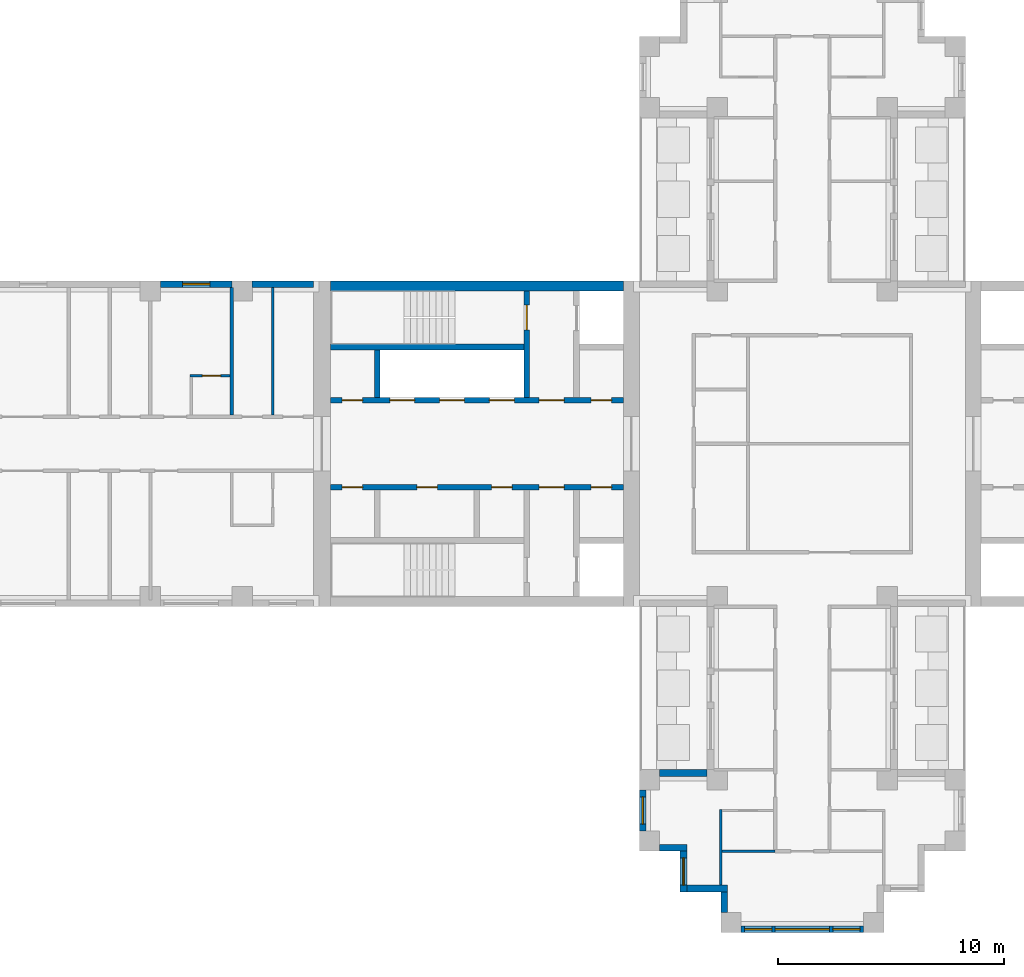
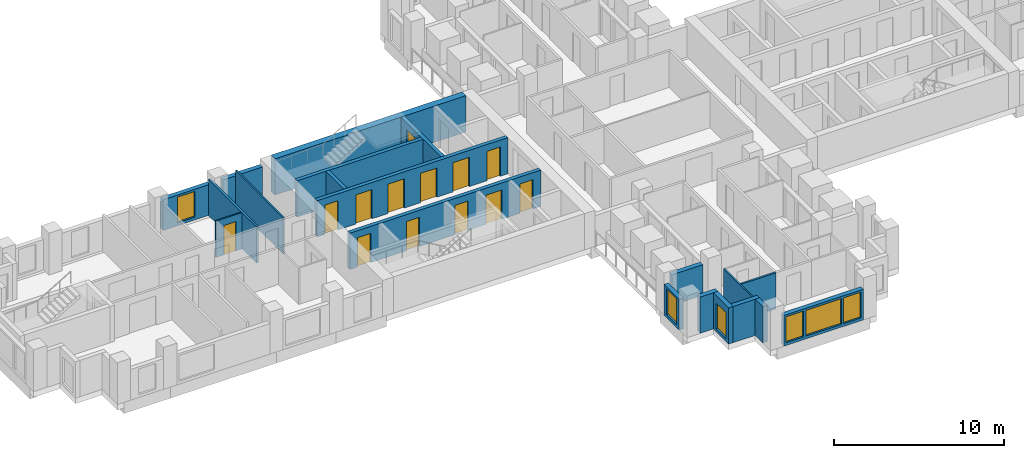
# One storey, part 4 of 12: 20 walls, 13 doors, 6 windows, 19 openings.
"""IFC4 building model written with IfcOpenShell, lengths in metres."""

from ifc_helpers import new_model, si_unit, direction, frame, frame_2d, origin, place, context, subcontext, project, spatial, rectangle, extrude, material, layer, layer_set, type_object, element, fill, save


model = new_model("IFC4")

# Units and contexts
model_context = context("Model", 3, precision=1e-05, world=origin(), true_north=direction((0.0, 1.0)))
body_context = subcontext(model_context, "Body", "Model", "MODEL_VIEW")
ifc_project = project(units=[si_unit("LENGTHUNIT", "METRE"), si_unit("AREAUNIT", "SQUARE_METRE"), si_unit("VOLUMEUNIT", "CUBIC_METRE"), si_unit("PLANEANGLEUNIT", "RADIAN"), si_unit("MASSUNIT", "GRAM", prefix="KILO")], contexts=[model_context])

# Site, building, storey
site_placement = place(None, origin())
site = spatial("IfcSite", under=ifc_project, at=site_placement, CompositionType="ELEMENT")
building_placement = place(site_placement, origin())
building = spatial("IfcBuilding", under=site, at=building_placement, Name="Fustian Cross Tower", CompositionType="ELEMENT")
storey_placement = place(building_placement, frame((0.0, 0.0, 147.300048828125)))
storey = spatial("IfcBuildingStorey", under=building, at=storey_placement, Name="L46", CompositionType="ELEMENT", Elevation=147.300048828125)

# Walls
ifc_material_1 = material(Name="Plasterboard on steel stud", Category="steel")
ifc_layer_1 = layer(ifc_material_1, 0.14990234375)
ifc_layer_set_1 = layer_set([ifc_layer_1], Name="Plasterboard on steel stud")
wall_type_1 = type_object("IfcWallType", Name="COMPARTMENT WALL 150 EI 60", PredefinedType="PARTITIONING", material=ifc_layer_set_1)
wall_1_placement = place(storey_placement, frame((-25.199951171875, 1.27490234375, 0.0), z_axis=(0.0, 0.0, 1.0), x_axis=(0.0, 1.0, 0.0)))
element("IfcWall", 1, at=wall_1_placement, inside=storey, type_object=wall_type_1, Name="Partition 13", PredefinedType="PARTITIONING", context=body_context, shape_type="SweptSolid", body=[
    extrude(rectangle(XDim=5.625, YDim=0.14990234375, at=frame_2d((2.8125, 0.0))), origin(), (0.0, 0.0, 1.0), 2.599853515625),
])
ifc_material_2 = material(Name="Concrete C60/75", Category="concrete")
ifc_layer_2 = layer(ifc_material_2, 0.449951171875)
ifc_layer_set_2 = layer_set([ifc_layer_2], Name="Concrete C60/75")
wall_type_2 = type_object("IfcWallType", Name="CORE FACADE WALL 450 C60/75", PredefinedType="SHEAR", material=ifc_layer_set_2)
wall_2_placement = place(storey_placement, frame((-7.89990234375, 6.97509765625, 0.0), z_axis=(0.0, 0.0, 1.0), x_axis=(-1.0, 0.0, 0.0)))
element("IfcWall", 2, at=wall_2_placement, inside=storey, type_object=wall_type_2, Name="Core facade wall", PredefinedType="SHEAR", context=body_context, shape_type="SweptSolid", body=[
    extrude(rectangle(XDim=12.9501953125, YDim=0.449951171875, at=frame_2d((6.47509765625, 0.0))), origin(), (0.0, 0.0, 1.0), 2.599853515625),
])

# Wall, openings, doors
ifc_material_3 = material(Name="Concrete C50/60", Category="concrete")
ifc_layer_3 = layer(ifc_material_3, 0.25)
ifc_layer_set_3 = layer_set([ifc_layer_3], Name="Concrete C50/60")
wall_type_3 = type_object("IfcWallType", Name="CORE LOBBY WALL 250 C50/60", PredefinedType="SHEAR", material=ifc_layer_set_3)
wall_3_placement = place(storey_placement, frame((-7.89990234375, 1.925048828125, 0.0), z_axis=(0.0, 0.0, 1.0), x_axis=(-1.0, 0.0, 0.0)))
wall_3 = element("IfcWall", 3, at=wall_3_placement, inside=storey, type_object=wall_type_3, Name="Core lobby wall", PredefinedType="SHEAR", context=body_context, shape_type="SweptSolid", body=[
    extrude(rectangle(XDim=12.9501953125, YDim=0.25, at=frame_2d((6.47509765625, 0.0))), origin(), (0.0, 0.0, 1.0), 2.599853515625),
])
opening_1_placement = place(wall_3_placement, frame((4.824951171875, 0.0, 0.0)))
opening_1 = element("IfcOpeningElement", 4, at=opening_1_placement, cuts=wall_3, Name="Opening LD", PredefinedType="OPENING", context=body_context, shape_type="SweptSolid", body=[
    extrude(rectangle(XDim=1.10009765625, YDim=2.10009765625, at=frame_2d((0.550048828125, 1.050048828125))), frame((0.0, 0.135009765625, 0.0), z_axis=(0.0, -1.0, 0.0), x_axis=(1.0, 0.0, 0.0)), (0.0, 0.0, 1.0), 0.27001953125),
])
opening_2_placement = place(wall_3_placement, frame((7.02490234375, 0.0, 0.0)))
opening_2 = element("IfcOpeningElement", 5, at=opening_2_placement, cuts=wall_3, Name="Opening LD", PredefinedType="OPENING", context=body_context, shape_type="SweptSolid", body=[
    extrude(rectangle(XDim=1.10009765625, YDim=2.10009765625, at=frame_2d((0.550048828125, 1.050048828125))), frame((0.0, 0.135009765625, 0.0), z_axis=(0.0, -1.0, 0.0), x_axis=(1.0, 0.0, 0.0)), (0.0, 0.0, 1.0), 0.27001953125),
])
opening_3_placement = place(wall_3_placement, frame((9.22509765625, 0.0, 0.0)))
opening_3 = element("IfcOpeningElement", 6, at=opening_3_placement, cuts=wall_3, Name="Opening LD", PredefinedType="OPENING", context=body_context, shape_type="SweptSolid", body=[
    extrude(rectangle(XDim=1.10009765625, YDim=2.10009765625, at=frame_2d((0.550048828125, 1.050048828125))), frame((0.0, 0.135009765625, 0.0), z_axis=(0.0, -1.0, 0.0), x_axis=(1.0, 0.0, 0.0)), (0.0, 0.0, 1.0), 0.27001953125),
])
opening_4_placement = place(wall_3_placement, frame((0.52490234375, 0.0, 0.0)))
opening_4 = element("IfcOpeningElement", 7, at=opening_4_placement, cuts=wall_3, Name="Opening CD-16-25", PredefinedType="OPENING", context=body_context, shape_type="SweptSolid", body=[
    extrude(rectangle(XDim=0.89990234375, YDim=2.10009765625, at=frame_2d((0.449951171875, 1.050048828125))), frame((0.0, 0.135009765625, 0.0), z_axis=(0.0, -1.0, 0.0), x_axis=(1.0, 0.0, 0.0)), (0.0, 0.0, 1.0), 0.27001953125),
])
opening_5_placement = place(wall_3_placement, frame((2.625, 0.0, 0.0)))
opening_5 = element("IfcOpeningElement", 8, at=opening_5_placement, cuts=wall_3, Name="Opening CD-16-27", PredefinedType="OPENING", context=body_context, shape_type="SweptSolid", body=[
    extrude(rectangle(XDim=1.10009765625, YDim=2.10009765625, at=frame_2d((0.550048828125, 1.050048828125))), frame((0.0, 0.135009765625, 0.0), z_axis=(0.0, -1.0, 0.0), x_axis=(1.0, 0.0, 0.0)), (0.0, 0.0, 1.0), 0.27001953125),
])
opening_6_placement = place(wall_3_placement, frame((11.52490234375, 0.0, 0.0)))
opening_6 = element("IfcOpeningElement", 9, at=opening_6_placement, cuts=wall_3, Name="Opening CD-16-31", PredefinedType="OPENING", context=body_context, shape_type="SweptSolid", body=[
    extrude(rectangle(XDim=0.89990234375, YDim=2.10009765625, at=frame_2d((0.449951171875, 1.050048828125))), frame((0.0, 0.135009765625, 0.0), z_axis=(0.0, -1.0, 0.0), x_axis=(1.0, 0.0, 0.0)), (0.0, 0.0, 1.0), 0.27001953125),
])
ifc_material_4 = material(Name="Steel", Category="steel")
door_type_1 = type_object("IfcDoorType", Name="FIRE DOOR FD30S 900X2100", OperationType="SINGLE_SWING_LEFT", PredefinedType="DOOR", material=ifc_material_4)
door_1_placement = place(opening_6_placement, frame((0.89990234375, 0.0, 0.0), z_axis=(0.0, 0.0, 1.0), x_axis=(-1.0, 0.0, 0.0)))
door_1 = element("IfcDoor", 10, at=door_1_placement, inside=storey, type_object=door_type_1, Name="Core door CD-16-31", OperationType="SINGLE_SWING_RIGHT", OverallHeight=2.10009765625, OverallWidth=0.89990234375, PredefinedType="DOOR", context=body_context, shape_type="SweptSolid", body=[
    extrude(rectangle(XDim=0.89990234375, YDim=2.10009765625, at=frame_2d((0.449951171875, 1.050048828125))), frame((0.0, 0.02490234375, 0.0), z_axis=(0.0, -1.0, 0.0), x_axis=(1.0, 0.0, 0.0)), (0.0, 0.0, 1.0), 0.050048828125),
])
fill(opening_6, door_1)
ifc_material_5 = material(Name="Steel", Category="steel")
door_type_2 = type_object("IfcDoorType", Name="FIRE DOOR FD60S 1100X2100", OperationType="SINGLE_SWING_LEFT", PredefinedType="DOOR", material=ifc_material_5)
door_2_placement = place(opening_5_placement, frame((1.10009765625, 0.0, 0.0), z_axis=(0.0, 0.0, 1.0), x_axis=(-1.0, 0.0, 0.0)))
door_2 = element("IfcDoor", 11, at=door_2_placement, inside=storey, type_object=door_type_2, Name="Core door CD-16-27", OperationType="SINGLE_SWING_RIGHT", OverallHeight=2.10009765625, OverallWidth=1.10009765625, PredefinedType="DOOR", context=body_context, shape_type="SweptSolid", body=[
    extrude(rectangle(XDim=1.10009765625, YDim=2.10009765625, at=frame_2d((0.550048828125, 1.050048828125))), frame((0.0, 0.02490234375, 0.0), z_axis=(0.0, -1.0, 0.0), x_axis=(1.0, 0.0, 0.0)), (0.0, 0.0, 1.0), 0.050048828125),
])
fill(opening_5, door_2)
ifc_material_6 = material(Name="Steel", Category="steel")
door_type_3 = type_object("IfcDoorType", Name="FIRE DOOR FD60S 900X2100", OperationType="SINGLE_SWING_LEFT", PredefinedType="DOOR", material=ifc_material_6)
door_3_placement = place(opening_4_placement, frame((0.89990234375, 0.0, 0.0), z_axis=(0.0, 0.0, 1.0), x_axis=(-1.0, 0.0, 0.0)))
door_3 = element("IfcDoor", 12, at=door_3_placement, inside=storey, type_object=door_type_3, Name="Core door CD-16-25", OperationType="SINGLE_SWING_RIGHT", OverallHeight=2.10009765625, OverallWidth=0.89990234375, PredefinedType="DOOR", context=body_context, shape_type="SweptSolid", body=[
    extrude(rectangle(XDim=0.89990234375, YDim=2.10009765625, at=frame_2d((0.449951171875, 1.050048828125))), frame((0.0, 0.02490234375, 0.0), z_axis=(0.0, -1.0, 0.0), x_axis=(1.0, 0.0, 0.0)), (0.0, 0.0, 1.0), 0.050048828125),
])
fill(opening_4, door_3)
ifc_material_7 = material(Name="Stainless steel", Category="steel")
door_type_4 = type_object("IfcDoorType", Name="LIFT LANDING DOOR 1100X2100", OperationType="SLIDING_TO_LEFT", PredefinedType="DOOR", material=ifc_material_7)
door_4_placement = place(opening_1_placement, origin())
door_4 = element("IfcDoor", 13, at=door_4_placement, inside=storey, type_object=door_type_4, Name="Landing door HR1W", OperationType="SLIDING_TO_LEFT", OverallHeight=2.10009765625, OverallWidth=1.10009765625, PredefinedType="DOOR", context=body_context, shape_type="SweptSolid", body=[
    extrude(rectangle(XDim=1.10009765625, YDim=2.10009765625, at=frame_2d((0.550048828125, 1.050048828125))), frame((0.0, 0.02490234375, 0.0), z_axis=(0.0, -1.0, 0.0), x_axis=(1.0, 0.0, 0.0)), (0.0, 0.0, 1.0), 0.050048828125),
])
fill(opening_1, door_4)
door_5_placement = place(opening_2_placement, origin())
door_5 = element("IfcDoor", 14, at=door_5_placement, inside=storey, type_object=door_type_4, Name="Landing door HR2W", OperationType="SLIDING_TO_LEFT", OverallHeight=2.10009765625, OverallWidth=1.10009765625, PredefinedType="DOOR", context=body_context, shape_type="SweptSolid", body=[
    extrude(rectangle(XDim=1.10009765625, YDim=2.10009765625, at=frame_2d((0.550048828125, 1.050048828125))), frame((0.0, 0.02490234375, 0.0), z_axis=(0.0, -1.0, 0.0), x_axis=(1.0, 0.0, 0.0)), (0.0, 0.0, 1.0), 0.050048828125),
])
fill(opening_2, door_5)
door_6_placement = place(opening_3_placement, origin())
door_6 = element("IfcDoor", 15, at=door_6_placement, inside=storey, type_object=door_type_4, Name="Landing door HR3W", OperationType="SLIDING_TO_LEFT", OverallHeight=2.10009765625, OverallWidth=1.10009765625, PredefinedType="DOOR", context=body_context, shape_type="SweptSolid", body=[
    extrude(rectangle(XDim=1.10009765625, YDim=2.10009765625, at=frame_2d((0.550048828125, 1.050048828125))), frame((0.0, 0.02490234375, 0.0), z_axis=(0.0, -1.0, 0.0), x_axis=(1.0, 0.0, 0.0)), (0.0, 0.0, 1.0), 0.050048828125),
])
fill(opening_3, door_6)

wall_4_placement = place(storey_placement, frame((-7.89990234375, -1.925048828125, 0.0), z_axis=(0.0, 0.0, 1.0), x_axis=(-1.0, 0.0, 0.0)))
wall_4 = element("IfcWall", 16, at=wall_4_placement, inside=storey, type_object=wall_type_3, Name="Core lobby wall", PredefinedType="SHEAR", context=body_context, shape_type="SweptSolid", body=[
    extrude(rectangle(XDim=12.9501953125, YDim=0.25, at=frame_2d((6.47509765625, 0.0))), origin(), (0.0, 0.0, 1.0), 2.599853515625),
])
opening_7_placement = place(wall_4_placement, frame((0.52490234375, 0.0, 0.0)))
opening_7 = element("IfcOpeningElement", 17, at=opening_7_placement, cuts=wall_4, Name="Opening CD-16-26", PredefinedType="OPENING", context=body_context, shape_type="SweptSolid", body=[
    extrude(rectangle(XDim=0.89990234375, YDim=2.10009765625, at=frame_2d((0.449951171875, 1.050048828125))), frame((0.0, 0.135009765625, 0.0), z_axis=(0.0, -1.0, 0.0), x_axis=(1.0, 0.0, 0.0)), (0.0, 0.0, 1.0), 0.27001953125),
])
opening_8_placement = place(wall_4_placement, frame((2.625, 0.0, 0.0)))
opening_8 = element("IfcOpeningElement", 18, at=opening_8_placement, cuts=wall_4, Name="Opening CD-16-28", PredefinedType="OPENING", context=body_context, shape_type="SweptSolid", body=[
    extrude(rectangle(XDim=1.10009765625, YDim=2.10009765625, at=frame_2d((0.550048828125, 1.050048828125))), frame((0.0, 0.135009765625, 0.0), z_axis=(0.0, -1.0, 0.0), x_axis=(1.0, 0.0, 0.0)), (0.0, 0.0, 1.0), 0.27001953125),
])
opening_9_placement = place(wall_4_placement, frame((4.925048828125, 0.0, 0.0)))
opening_9 = element("IfcOpeningElement", 19, at=opening_9_placement, cuts=wall_4, Name="Opening CD-16-32", PredefinedType="OPENING", context=body_context, shape_type="SweptSolid", body=[
    extrude(rectangle(XDim=0.89990234375, YDim=2.10009765625, at=frame_2d((0.449951171875, 1.050048828125))), frame((0.0, 0.135009765625, 0.0), z_axis=(0.0, -1.0, 0.0), x_axis=(1.0, 0.0, 0.0)), (0.0, 0.0, 1.0), 0.27001953125),
])
opening_10_placement = place(wall_4_placement, frame((8.22509765625, 0.0, 0.0)))
opening_10 = element("IfcOpeningElement", 20, at=opening_10_placement, cuts=wall_4, Name="Opening CD-16-33", PredefinedType="OPENING", context=body_context, shape_type="SweptSolid", body=[
    extrude(rectangle(XDim=0.89990234375, YDim=2.10009765625, at=frame_2d((0.449951171875, 1.050048828125))), frame((0.0, 0.135009765625, 0.0), z_axis=(0.0, -1.0, 0.0), x_axis=(1.0, 0.0, 0.0)), (0.0, 0.0, 1.0), 0.27001953125),
])
opening_11_placement = place(wall_4_placement, frame((11.52490234375, 0.0, 0.0)))
opening_11 = element("IfcOpeningElement", 21, at=opening_11_placement, cuts=wall_4, Name="Opening CD-16-34", PredefinedType="OPENING", context=body_context, shape_type="SweptSolid", body=[
    extrude(rectangle(XDim=0.89990234375, YDim=2.10009765625, at=frame_2d((0.449951171875, 1.050048828125))), frame((0.0, 0.135009765625, 0.0), z_axis=(0.0, -1.0, 0.0), x_axis=(1.0, 0.0, 0.0)), (0.0, 0.0, 1.0), 0.27001953125),
])
ifc_material_8 = material(Name="Steel", Category="steel")
door_type_5 = type_object("IfcDoorType", Name="FIRE DOOR FD30S 1100X2100", OperationType="SINGLE_SWING_LEFT", PredefinedType="DOOR", material=ifc_material_8)
door_7_placement = place(opening_8_placement, frame((1.10009765625, 0.0, 0.0), z_axis=(0.0, 0.0, 1.0), x_axis=(-1.0, 0.0, 0.0)))
door_7 = element("IfcDoor", 22, at=door_7_placement, inside=storey, type_object=door_type_5, Name="Core door CD-16-28", OperationType="SINGLE_SWING_RIGHT", OverallHeight=2.10009765625, OverallWidth=1.10009765625, PredefinedType="DOOR", context=body_context, shape_type="SweptSolid", body=[
    extrude(rectangle(XDim=1.10009765625, YDim=2.10009765625, at=frame_2d((0.550048828125, 1.050048828125))), frame((0.0, 0.02490234375, 0.0), z_axis=(0.0, -1.0, 0.0), x_axis=(1.0, 0.0, 0.0)), (0.0, 0.0, 1.0), 0.050048828125),
])
fill(opening_8, door_7)
door_8_placement = place(opening_7_placement, origin())
door_8 = element("IfcDoor", 23, at=door_8_placement, inside=storey, type_object=door_type_1, Name="Core door CD-16-26", OperationType="SINGLE_SWING_LEFT", OverallHeight=2.10009765625, OverallWidth=0.89990234375, PredefinedType="DOOR", context=body_context, shape_type="SweptSolid", body=[
    extrude(rectangle(XDim=0.89990234375, YDim=2.10009765625, at=frame_2d((0.449951171875, 1.050048828125))), frame((0.0, 0.02490234375, 0.0), z_axis=(0.0, -1.0, 0.0), x_axis=(1.0, 0.0, 0.0)), (0.0, 0.0, 1.0), 0.050048828125),
])
fill(opening_7, door_8)
door_9_placement = place(opening_9_placement, origin())
door_9 = element("IfcDoor", 24, at=door_9_placement, inside=storey, type_object=door_type_1, Name="Core door CD-16-32", OperationType="SINGLE_SWING_LEFT", OverallHeight=2.10009765625, OverallWidth=0.89990234375, PredefinedType="DOOR", context=body_context, shape_type="SweptSolid", body=[
    extrude(rectangle(XDim=0.89990234375, YDim=2.10009765625, at=frame_2d((0.449951171875, 1.050048828125))), frame((0.0, 0.02490234375, 0.0), z_axis=(0.0, -1.0, 0.0), x_axis=(1.0, 0.0, 0.0)), (0.0, 0.0, 1.0), 0.050048828125),
])
fill(opening_9, door_9)
door_10_placement = place(opening_10_placement, origin())
door_10 = element("IfcDoor", 25, at=door_10_placement, inside=storey, type_object=door_type_1, Name="Core door CD-16-33", OperationType="SINGLE_SWING_RIGHT", OverallHeight=2.10009765625, OverallWidth=0.89990234375, PredefinedType="DOOR", context=body_context, shape_type="SweptSolid", body=[
    extrude(rectangle(XDim=0.89990234375, YDim=2.10009765625, at=frame_2d((0.449951171875, 1.050048828125))), frame((0.0, 0.02490234375, 0.0), z_axis=(0.0, -1.0, 0.0), x_axis=(1.0, 0.0, 0.0)), (0.0, 0.0, 1.0), 0.050048828125),
])
fill(opening_10, door_10)
door_11_placement = place(opening_11_placement, origin())
door_11 = element("IfcDoor", 26, at=door_11_placement, inside=storey, type_object=door_type_1, Name="Core door CD-16-34", OperationType="SINGLE_SWING_LEFT", OverallHeight=2.10009765625, OverallWidth=0.89990234375, PredefinedType="DOOR", context=body_context, shape_type="SweptSolid", body=[
    extrude(rectangle(XDim=0.89990234375, YDim=2.10009765625, at=frame_2d((0.449951171875, 1.050048828125))), frame((0.0, 0.02490234375, 0.0), z_axis=(0.0, -1.0, 0.0), x_axis=(1.0, 0.0, 0.0)), (0.0, 0.0, 1.0), 0.050048828125),
])
fill(opening_11, door_11)

# Wall
ifc_material_9 = material(Name="Concrete C50/60", Category="concrete")
ifc_layer_4 = layer(ifc_material_9, 0.25)
ifc_layer_set_4 = layer_set([ifc_layer_4], Name="Concrete C50/60")
wall_type_4 = type_object("IfcWallType", Name="CORE SHAFT WALL 250 C50/60", PredefinedType="SHEAR", material=ifc_layer_set_4)
wall_5_placement = place(storey_placement, frame((-12.300048828125, 4.27490234375, 0.0), z_axis=(0.0, 0.0, 1.0), x_axis=(-1.0, 0.0, 0.0)))
element("IfcWall", 27, at=wall_5_placement, inside=storey, type_object=wall_type_4, Name="Core shaft wall", PredefinedType="SHEAR", context=body_context, shape_type="SweptSolid", body=[
    extrude(rectangle(XDim=8.550048828125, YDim=0.25, at=frame_2d((4.27490234375, 0.0))), origin(), (0.0, 0.0, 1.0), 2.599853515625),
])

# Wall, opening, door
wall_6_placement = place(storey_placement, frame((-12.175048828125, 2.050048828125, 0.0), z_axis=(0.0, 0.0, 1.0), x_axis=(0.0, 1.0, 0.0)))
wall_6 = element("IfcWall", 28, at=wall_6_placement, inside=storey, type_object=wall_type_4, Name="Core shaft wall", PredefinedType="SHEAR", context=body_context, shape_type="SweptSolid", body=[
    extrude(rectangle(XDim=4.699951171875, YDim=0.25, at=frame_2d((2.35009765625, 0.0))), origin(), (0.0, 0.0, 1.0), 2.599853515625),
])
opening_12_placement = place(wall_6_placement, frame((2.97509765625, 0.0, 0.0)))
opening_12 = element("IfcOpeningElement", 29, at=opening_12_placement, cuts=wall_6, Name="Opening CD-16-23", PredefinedType="OPENING", context=body_context, shape_type="SweptSolid", body=[
    extrude(rectangle(XDim=1.10009765625, YDim=2.10009765625, at=frame_2d((0.550048828125, 1.050048828125))), frame((0.0, 0.135009765625, 0.0), z_axis=(0.0, -1.0, 0.0), x_axis=(1.0, 0.0, 0.0)), (0.0, 0.0, 1.0), 0.27001953125),
])
door_12_placement = place(opening_12_placement, origin())
door_12 = element("IfcDoor", 30, at=door_12_placement, inside=storey, type_object=door_type_2, Name="Core door CD-16-23", OperationType="SINGLE_SWING_LEFT", OverallHeight=2.10009765625, OverallWidth=1.10009765625, PredefinedType="DOOR", context=body_context, shape_type="SweptSolid", body=[
    extrude(rectangle(XDim=1.10009765625, YDim=2.10009765625, at=frame_2d((0.550048828125, 1.050048828125))), frame((0.0, 0.02490234375, 0.0), z_axis=(0.0, -1.0, 0.0), x_axis=(1.0, 0.0, 0.0)), (0.0, 0.0, 1.0), 0.050048828125),
])
fill(opening_12, door_12)

ifc_material_10 = material(Name="Plasterboard on steel stud", Category="steel")
ifc_layer_5 = layer(ifc_material_10, 0.10009765625)
ifc_layer_set_5 = layer_set([ifc_layer_5], Name="Plasterboard on steel stud")
wall_type_5 = type_object("IfcWallType", Name="PARTITION 100 STUD", PredefinedType="PARTITIONING", material=ifc_layer_set_5)
wall_7_placement = place(storey_placement, frame((-27.050048828125, 3.0, 0.0), z_axis=(0.0, 0.0, 1.0), x_axis=(1.0, 0.0, 0.0)))
wall_7 = element("IfcWall", 31, at=wall_7_placement, inside=storey, type_object=wall_type_5, Name="Partition 10", PredefinedType="PARTITIONING", context=body_context, shape_type="SweptSolid", body=[
    extrude(rectangle(XDim=1.775146484375, YDim=0.10009765625, at=frame_2d((0.8876953125, 0.0))), origin(), (0.0, 0.0, 1.0), 2.599853515625),
])
opening_13_placement = place(wall_7_placement, frame((0.550048828125, 0.0, 0.0)))
opening_13 = element("IfcOpeningElement", 32, at=opening_13_placement, cuts=wall_7, Name="Opening D21033", PredefinedType="OPENING", context=body_context, shape_type="SweptSolid", body=[
    extrude(rectangle(XDim=0.800048828125, YDim=2.10009765625, at=frame_2d((0.39990234375, 1.050048828125))), frame((0.0, 0.06005859375, 0.0), z_axis=(0.0, -1.0, 0.0), x_axis=(1.0, 0.0, 0.0)), (0.0, 0.0, 1.0), 0.1201171875),
])
ifc_material_11 = material(Name="Painted timber", Category="wood")
door_type_6 = type_object("IfcDoorType", Name="SWING DOOR 800", OperationType="SINGLE_SWING_LEFT", PredefinedType="DOOR", material=ifc_material_11)
door_13_placement = place(opening_13_placement, frame((0.800048828125, 0.0, 0.0), z_axis=(0.0, 0.0, 1.0), x_axis=(-1.0, 0.0, 0.0)))
door_13 = element("IfcDoor", 33, at=door_13_placement, inside=storey, type_object=door_type_6, Name="Door D21033", OperationType="SINGLE_SWING_LEFT", OverallHeight=2.10009765625, OverallWidth=0.800048828125, PredefinedType="DOOR", context=body_context, shape_type="SweptSolid", body=[
    extrude(rectangle(XDim=0.800048828125, YDim=2.10009765625, at=frame_2d((0.39990234375, 1.050048828125))), frame((0.0, 0.02490234375, 0.0), z_axis=(0.0, -1.0, 0.0), x_axis=(1.0, 0.0, 0.0)), (0.0, 0.0, 1.0), 0.050048828125),
])
fill(opening_13, door_13)

# Walls
wall_8_placement = place(storey_placement, frame((-23.39990234375, 1.27490234375, 0.0), z_axis=(0.0, 0.0, 1.0), x_axis=(0.0, 1.0, 0.0)))
element("IfcWall", 34, at=wall_8_placement, inside=storey, type_object=wall_type_5, Name="Partition 15", PredefinedType="PARTITIONING", context=body_context, shape_type="SweptSolid", body=[
    extrude(rectangle(XDim=5.625, YDim=0.10009765625, at=frame_2d((2.8125, 0.0))), origin(), (0.0, 0.0, 1.0), 2.599853515625),
])
wall_9_placement = place(storey_placement, frame((-3.60009765625, -19.5, 0.0), z_axis=(0.0, 0.0, 1.0), x_axis=(0.0, 1.0, 0.0)))
element("IfcWall", 35, at=wall_9_placement, inside=storey, type_object=wall_type_5, Name="Partition 27", PredefinedType="PARTITIONING", context=body_context, shape_type="SweptSolid", body=[
    extrude(rectangle(XDim=3.35009765625, YDim=0.10009765625, at=frame_2d((1.675048828125, 0.0))), origin(), (0.0, 0.0, 1.0), 2.599853515625),
])
ifc_material_12 = material(Name="Concrete C40/50", Category="concrete")
ifc_layer_6 = layer(ifc_material_12, 0.25)
ifc_layer_set_6 = layer_set([ifc_layer_6], Name="Concrete C40/50")
wall_type_6 = type_object("IfcWallType", Name="SHAFT PARTITION WALL 250 C40/50", PredefinedType="PARTITIONING", material=ifc_layer_set_6)
wall_10_placement = place(storey_placement, frame((-18.77490234375, 2.050048828125, 0.0), z_axis=(0.0, 0.0, 1.0), x_axis=(0.0, 1.0, 0.0)))
element("IfcWall", 36, at=wall_10_placement, inside=storey, type_object=wall_type_6, Name="Core shaft wall", PredefinedType="PARTITIONING", context=body_context, shape_type="SweptSolid", body=[
    extrude(rectangle(XDim=2.099853515625, YDim=0.25, at=frame_2d((1.0498046875, 0.0))), origin(), (0.0, 0.0, 1.0), 2.599853515625),
])
ifc_material_13 = material(Name="Plasterboard on steel stud", Category="steel")
ifc_layer_7 = layer(ifc_material_13, 0.125)
ifc_layer_set_7 = layer_set([ifc_layer_7], Name="Plasterboard on steel stud")
wall_type_7 = type_object("IfcWallType", Name="WET WALL 125 STUD", PredefinedType="PARTITIONING", material=ifc_layer_set_7)
wall_11_placement = place(storey_placement, frame((-3.550048828125, -18.0, 0.0), z_axis=(0.0, 0.0, 1.0), x_axis=(1.0, 0.0, 0.0)))
element("IfcWall", 37, at=wall_11_placement, inside=storey, type_object=wall_type_7, Name="Partition 28", PredefinedType="PARTITIONING", context=body_context, shape_type="SweptSolid", body=[
    extrude(rectangle(XDim=2.35009765625, YDim=0.125, at=frame_2d((1.175048828125, 0.0))), origin(), (0.0, 0.0, 1.0), 2.599853515625),
])
ifc_material_14 = material(Name="Dark aluminium cladding on insulated backing wall", Category="aluminium")
ifc_layer_8 = layer(ifc_material_14, 0.300048828125)
ifc_layer_set_8 = layer_set([ifc_layer_8], Name="Dark aluminium cladding on insulated backing wall")
wall_type_8 = type_object("IfcWallType", Name="XW1 EXTERNAL WALL 300", PredefinedType="SOLIDWALL", material=ifc_layer_set_8)
wall_12_placement = place(storey_placement, frame((-21.60009765625, 7.050048828125, 0.0), z_axis=(0.0, 0.0, 1.0), x_axis=(-1.0, 0.0, 0.0)))
element("IfcWall", 38, at=wall_12_placement, inside=storey, type_object=wall_type_8, Name="External wall", PredefinedType="SOLIDWALL", context=body_context, shape_type="SweptSolid", body=[
    extrude(rectangle(XDim=2.699951171875, YDim=0.300048828125, at=frame_2d((1.35009765625, 0.0))), origin(), (0.0, 0.0, 1.0), 2.199951171875),
])

# Wall, opening, window
wall_13_placement = place(storey_placement, frame((-25.199951171875, 7.050048828125, 0.0), z_axis=(0.0, 0.0, 1.0), x_axis=(-1.0, 0.0, 0.0)))
wall_13 = element("IfcWall", 39, at=wall_13_placement, inside=storey, type_object=wall_type_8, Name="External wall", PredefinedType="SOLIDWALL", context=body_context, shape_type="SweptSolid", body=[
    extrude(rectangle(XDim=3.150146484375, YDim=0.300048828125, at=frame_2d((1.5751953125, 0.0))), origin(), (0.0, 0.0, 1.0), 2.199951171875),
])
opening_14_placement = place(wall_13_placement, frame((0.97509765625, 0.0, 0.199951171875)))
opening_14 = element("IfcOpeningElement", 40, at=opening_14_placement, cuts=wall_13, Name="Opening WN3", PredefinedType="OPENING", context=body_context, shape_type="SweptSolid", body=[
    extrude(rectangle(XDim=1.199951171875, YDim=1.85009765625, at=frame_2d((0.60009765625, 0.925048828125))), frame((0.0, 0.159912109375, 0.0), z_axis=(0.0, -1.0, 0.0), x_axis=(1.0, 0.0, 0.0)), (0.0, 0.0, 1.0), 0.320068359375),
])
ifc_material_15 = material(Name="Dark anodised aluminium and double glazing", Category="aluminium")
window_type_1 = type_object("IfcWindowType", Name="WN3 WINDOW 1200X1850", PartitioningType="SINGLE_PANEL", PredefinedType="WINDOW", material=ifc_material_15)
window_1_placement = place(opening_14_placement, origin())
window_1 = element("IfcWindow", 41, at=window_1_placement, inside=storey, type_object=window_type_1, Name="Window", OverallHeight=1.85009765625, OverallWidth=1.199951171875, PartitioningType="SINGLE_PANEL", PredefinedType="WINDOW", context=body_context, shape_type="SweptSolid", body=[
    extrude(rectangle(XDim=1.199951171875, YDim=1.85009765625, at=frame_2d((0.60009765625, 0.925048828125))), frame((0.0, 0.030029296875, 0.0), z_axis=(0.0, -1.0, 0.0), x_axis=(1.0, 0.0, 0.0)), (0.0, 0.0, 1.0), 0.06005859375),
])
fill(opening_14, window_1)

# Wall
wall_14_placement = place(storey_placement, frame((-4.199951171875, -14.550048828125, 0.0), z_axis=(0.0, 0.0, 1.0), x_axis=(-1.0, 0.0, 0.0)))
element("IfcWall", 42, at=wall_14_placement, inside=storey, type_object=wall_type_8, Name="External wall", PredefinedType="SOLIDWALL", context=body_context, shape_type="SweptSolid", body=[
    extrude(rectangle(XDim=2.10009765625, YDim=0.300048828125, at=frame_2d((1.050048828125, 0.0))), origin(), (0.0, 0.0, 1.0), 2.199951171875),
])

# Wall, opening, window
wall_15_placement = place(storey_placement, frame((-7.050048828125, -15.300048828125, 0.0), z_axis=(0.0, 0.0, 1.0), x_axis=(0.0, -1.0, 0.0)))
wall_15 = element("IfcWall", 43, at=wall_15_placement, inside=storey, type_object=wall_type_8, Name="External wall", PredefinedType="SOLIDWALL", context=body_context, shape_type="SweptSolid", body=[
    extrude(rectangle(XDim=1.800048828125, YDim=0.300048828125, at=frame_2d((0.89990234375, 0.0))), origin(), (0.0, 0.0, 1.0), 2.199951171875),
])
opening_15_placement = place(wall_15_placement, frame((0.300048828125, 0.0, 0.199951171875)))
opening_15 = element("IfcOpeningElement", 44, at=opening_15_placement, cuts=wall_15, Name="Opening WN3", PredefinedType="OPENING", context=body_context, shape_type="SweptSolid", body=[
    extrude(rectangle(XDim=1.199951171875, YDim=1.85009765625, at=frame_2d((0.60009765625, 0.925048828125))), frame((0.0, 0.159912109375, 0.0), z_axis=(0.0, -1.0, 0.0), x_axis=(1.0, 0.0, 0.0)), (0.0, 0.0, 1.0), 0.320068359375),
])
window_2_placement = place(opening_15_placement, origin())
window_2 = element("IfcWindow", 45, at=window_2_placement, inside=storey, type_object=window_type_1, Name="Window", OverallHeight=1.85009765625, OverallWidth=1.199951171875, PartitioningType="SINGLE_PANEL", PredefinedType="WINDOW", context=body_context, shape_type="SweptSolid", body=[
    extrude(rectangle(XDim=1.199951171875, YDim=1.85009765625, at=frame_2d((0.60009765625, 0.925048828125))), frame((0.0, 0.030029296875, 0.0), z_axis=(0.0, -1.0, 0.0), x_axis=(1.0, 0.0, 0.0)), (0.0, 0.0, 1.0), 0.06005859375),
])
fill(opening_15, window_2)

# Wall
wall_16_placement = place(storey_placement, frame((-6.300048828125, -17.85009765625, 0.0), z_axis=(0.0, 0.0, 1.0), x_axis=(1.0, 0.0, 0.0)))
element("IfcWall", 46, at=wall_16_placement, inside=storey, type_object=wall_type_8, Name="External wall", PredefinedType="SOLIDWALL", context=body_context, shape_type="SweptSolid", body=[
    extrude(rectangle(XDim=1.199951171875, YDim=0.300048828125, at=frame_2d((0.60009765625, 0.0))), origin(), (0.0, 0.0, 1.0), 2.599853515625),
])

# Wall, opening, window
wall_17_placement = place(storey_placement, frame((-5.25, -18.0, 0.0), z_axis=(0.0, 0.0, 1.0), x_axis=(0.0, -1.0, 0.0)))
wall_17 = element("IfcWall", 47, at=wall_17_placement, inside=storey, type_object=wall_type_8, Name="External wall", PredefinedType="SOLIDWALL", context=body_context, shape_type="SweptSolid", body=[
    extrude(rectangle(XDim=1.800048828125, YDim=0.300048828125, at=frame_2d((0.89990234375, 0.0))), origin(), (0.0, 0.0, 1.0), 2.599853515625),
])
opening_16_placement = place(wall_17_placement, frame((0.300048828125, 0.0, 0.199951171875)))
opening_16 = element("IfcOpeningElement", 48, at=opening_16_placement, cuts=wall_17, Name="Opening WN3", PredefinedType="OPENING", context=body_context, shape_type="SweptSolid", body=[
    extrude(rectangle(XDim=1.199951171875, YDim=1.85009765625, at=frame_2d((0.60009765625, 0.925048828125))), frame((0.0, 0.159912109375, 0.0), z_axis=(0.0, -1.0, 0.0), x_axis=(1.0, 0.0, 0.0)), (0.0, 0.0, 1.0), 0.320068359375),
])
window_3_placement = place(opening_16_placement, origin())
window_3 = element("IfcWindow", 49, at=window_3_placement, inside=storey, type_object=window_type_1, Name="Window", OverallHeight=1.85009765625, OverallWidth=1.199951171875, PartitioningType="SINGLE_PANEL", PredefinedType="WINDOW", context=body_context, shape_type="SweptSolid", body=[
    extrude(rectangle(XDim=1.199951171875, YDim=1.85009765625, at=frame_2d((0.60009765625, 0.925048828125))), frame((0.0, 0.030029296875, 0.0), z_axis=(0.0, -1.0, 0.0), x_axis=(1.0, 0.0, 0.0)), (0.0, 0.0, 1.0), 0.06005859375),
])
fill(opening_16, window_3)

# Walls
wall_18_placement = place(storey_placement, frame((-5.10009765625, -19.64990234375, 0.0), z_axis=(0.0, 0.0, 1.0), x_axis=(1.0, 0.0, 0.0)))
element("IfcWall", 50, at=wall_18_placement, inside=storey, type_object=wall_type_8, Name="External wall", PredefinedType="SOLIDWALL", context=body_context, shape_type="SweptSolid", body=[
    extrude(rectangle(XDim=1.800048828125, YDim=0.300048828125, at=frame_2d((0.89990234375, 0.0))), origin(), (0.0, 0.0, 1.0), 2.599853515625),
])
wall_19_placement = place(storey_placement, frame((-3.449951171875, -19.800048828125, 0.0), z_axis=(0.0, 0.0, 1.0), x_axis=(0.0, -1.0, 0.0)))
element("IfcWall", 51, at=wall_19_placement, inside=storey, type_object=wall_type_8, Name="External wall", PredefinedType="SOLIDWALL", context=body_context, shape_type="SweptSolid", body=[
    extrude(rectangle(XDim=0.89990234375, YDim=0.300048828125, at=frame_2d((0.449951171875, 0.0))), origin(), (0.0, 0.0, 1.0), 2.599853515625),
])

# Wall, openings, windows
wall_20_placement = place(storey_placement, frame((-2.699951171875, -21.449951171875, 0.0), z_axis=(0.0, 0.0, 1.0), x_axis=(1.0, 0.0, 0.0)))
wall_20 = element("IfcWall", 52, at=wall_20_placement, inside=storey, type_object=wall_type_8, Name="External wall", PredefinedType="SOLIDWALL", context=body_context, shape_type="SweptSolid", body=[
    extrude(rectangle(XDim=5.39990234375, YDim=0.300048828125, at=frame_2d((2.699951171875, 0.0))), origin(), (0.0, 0.0, 1.0), 2.199951171875),
])
opening_17_placement = place(wall_20_placement, frame((1.5, 0.0, 0.199951171875)))
opening_17 = element("IfcOpeningElement", 53, at=opening_17_placement, cuts=wall_20, Name="Opening WN1", PredefinedType="OPENING", context=body_context, shape_type="SweptSolid", body=[
    extrude(rectangle(XDim=2.39990234375, YDim=1.85009765625, at=frame_2d((1.199951171875, 0.925048828125))), frame((0.0, 0.159912109375, 0.0), z_axis=(0.0, -1.0, 0.0), x_axis=(1.0, 0.0, 0.0)), (0.0, 0.0, 1.0), 0.320068359375),
])
opening_18_placement = place(wall_20_placement, frame((0.14990234375, 0.0, 0.199951171875)))
opening_18 = element("IfcOpeningElement", 54, at=opening_18_placement, cuts=wall_20, Name="Opening WN3", PredefinedType="OPENING", context=body_context, shape_type="SweptSolid", body=[
    extrude(rectangle(XDim=1.199951171875, YDim=1.85009765625, at=frame_2d((0.60009765625, 0.925048828125))), frame((0.0, 0.159912109375, 0.0), z_axis=(0.0, -1.0, 0.0), x_axis=(1.0, 0.0, 0.0)), (0.0, 0.0, 1.0), 0.320068359375),
])
opening_19_placement = place(wall_20_placement, frame((4.050048828125, 0.0, 0.199951171875)))
opening_19 = element("IfcOpeningElement", 55, at=opening_19_placement, cuts=wall_20, Name="Opening WN3", PredefinedType="OPENING", context=body_context, shape_type="SweptSolid", body=[
    extrude(rectangle(XDim=1.199951171875, YDim=1.85009765625, at=frame_2d((0.60009765625, 0.925048828125))), frame((0.0, 0.159912109375, 0.0), z_axis=(0.0, -1.0, 0.0), x_axis=(1.0, 0.0, 0.0)), (0.0, 0.0, 1.0), 0.320068359375),
])
ifc_material_16 = material(Name="Dark anodised aluminium and double glazing", Category="aluminium")
window_type_2 = type_object("IfcWindowType", Name="WN1 WINDOW 2400X1850", PartitioningType="SINGLE_PANEL", PredefinedType="WINDOW", material=ifc_material_16)
window_4_placement = place(opening_17_placement, origin())
window_4 = element("IfcWindow", 56, at=window_4_placement, inside=storey, type_object=window_type_2, Name="Window", OverallHeight=1.85009765625, OverallWidth=2.39990234375, PartitioningType="SINGLE_PANEL", PredefinedType="WINDOW", context=body_context, shape_type="SweptSolid", body=[
    extrude(rectangle(XDim=2.39990234375, YDim=1.85009765625, at=frame_2d((1.199951171875, 0.925048828125))), frame((0.0, 0.030029296875, 0.0), z_axis=(0.0, -1.0, 0.0), x_axis=(1.0, 0.0, 0.0)), (0.0, 0.0, 1.0), 0.06005859375),
])
fill(opening_17, window_4)
window_5_placement = place(opening_18_placement, origin())
window_5 = element("IfcWindow", 57, at=window_5_placement, inside=storey, type_object=window_type_1, Name="Window", OverallHeight=1.85009765625, OverallWidth=1.199951171875, PartitioningType="SINGLE_PANEL", PredefinedType="WINDOW", context=body_context, shape_type="SweptSolid", body=[
    extrude(rectangle(XDim=1.199951171875, YDim=1.85009765625, at=frame_2d((0.60009765625, 0.925048828125))), frame((0.0, 0.030029296875, 0.0), z_axis=(0.0, -1.0, 0.0), x_axis=(1.0, 0.0, 0.0)), (0.0, 0.0, 1.0), 0.06005859375),
])
fill(opening_18, window_5)
window_6_placement = place(opening_19_placement, origin())
window_6 = element("IfcWindow", 58, at=window_6_placement, inside=storey, type_object=window_type_1, Name="Window", OverallHeight=1.85009765625, OverallWidth=1.199951171875, PartitioningType="SINGLE_PANEL", PredefinedType="WINDOW", context=body_context, shape_type="SweptSolid", body=[
    extrude(rectangle(XDim=1.199951171875, YDim=1.85009765625, at=frame_2d((0.60009765625, 0.925048828125))), frame((0.0, 0.030029296875, 0.0), z_axis=(0.0, -1.0, 0.0), x_axis=(1.0, 0.0, 0.0)), (0.0, 0.0, 1.0), 0.06005859375),
])
fill(opening_19, window_6)

save(model, "model.ifc")
